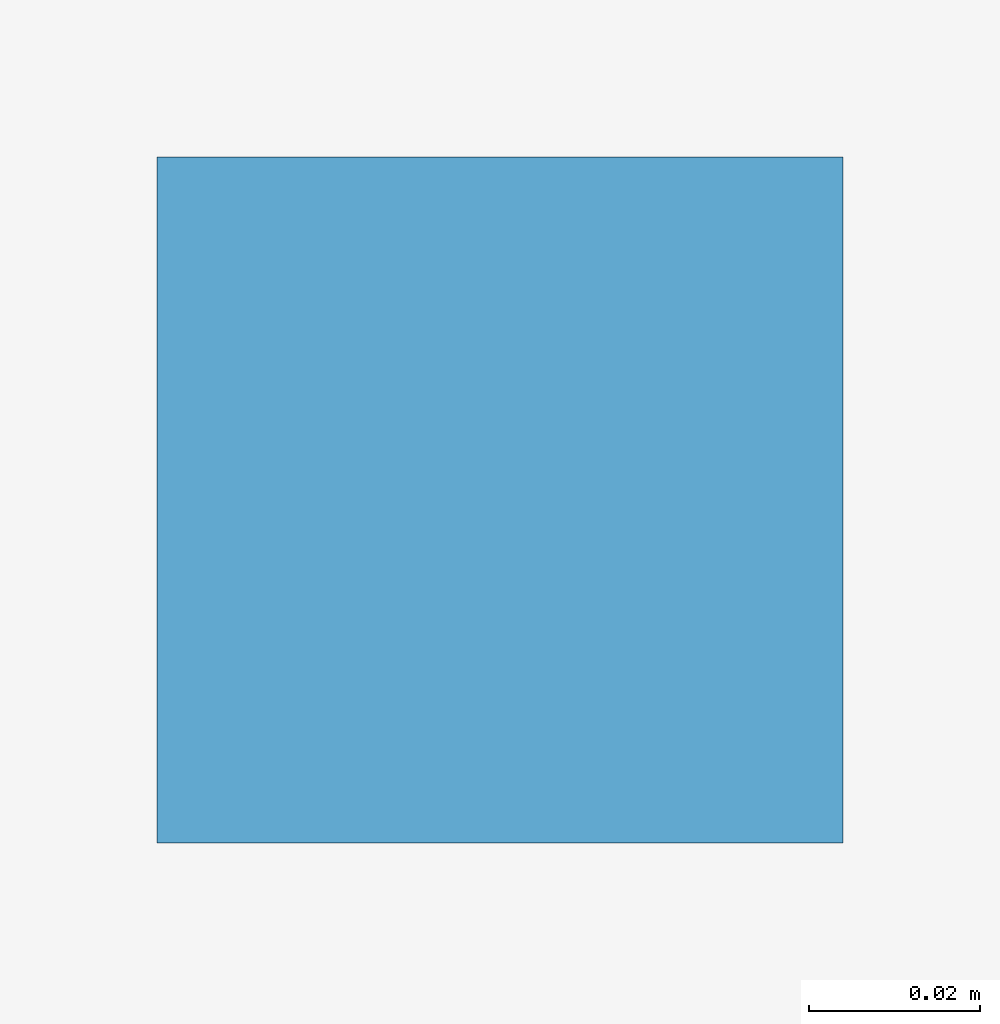
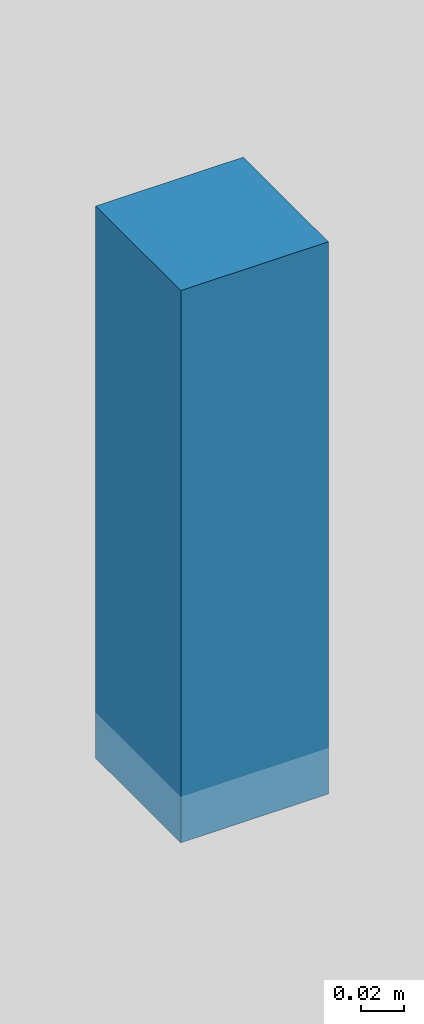
# One storey, part 23 of 31: 1 discrete accessory.
"""IFC4 building model written with IfcOpenShell, lengths in metres."""

import ifcopenshell
import ifcopenshell.guid

model = None  # the IFC model being written
_history = None  # IfcOwnerHistory: only IFC2X3 demands one
_inside = {}  # id of a spatial element -> (the spatial element, [elements in it])
_under = {}  # id of a project, library or spatial element -> (it, [spatial elements below it])
_declared = {}  # id of a project -> (the project, [libraries it declares])
_typed = {}  # id of a type object -> (the type object, [elements of that type])
_made_of = {}  # id of a material, layer set ... -> (it, [elements and type objects made of it])


def new_model(schema):
    """Start an empty IFC model of exactly this schema.

    Asked for "IFC4X3", IfcOpenShell would pick the latest addendum, in which some entities
    have other attributes; the version numbers below select the first issue.
    IFC2X3 requires an IfcOwnerHistory on every rooted entity: one is made here for all.
    """
    global model, _history
    if schema == "IFC4X3":
        model = ifcopenshell.file(schema_version=(4, 3, 0, 0))
    else:
        model = ifcopenshell.file(schema=schema)
    _inside.clear()
    _under.clear()
    _declared.clear()
    _typed.clear()
    _made_of.clear()
    _history = None
    if model.schema == "IFC2X3":
        org = make("IfcOrganization", Name="unknown")
        user = make(
            "IfcPersonAndOrganization",
            ThePerson=make("IfcPerson", FamilyName="unknown"),
            TheOrganization=org,
        )
        app = make(
            "IfcApplication",
            ApplicationDeveloper=org,
            Version="unknown",
            ApplicationFullName="unknown",
            ApplicationIdentifier="unknown",
        )
        _history = make(
            "IfcOwnerHistory",
            OwningUser=user,
            OwningApplication=app,
            ChangeAction="ADDED",
            CreationDate=0,
        )
    return model


def make(cls, **values):
    """One entity of the class cls with the attributes given. An attribute that is None is left unset."""
    return model.create_entity(
        cls, **{name: value for name, value in values.items() if value is not None}
    )


def rooted(cls, **values):
    """An entity with a GlobalId (a new one), such as an element, a storey or a relation."""
    return make(cls, GlobalId=ifcopenshell.guid.new(), OwnerHistory=_history, **values)


def si_unit(unit_type, name, prefix=None):
    """IfcSIUnit, for example si_unit("LENGTHUNIT", "METRE", prefix="MILLI")."""
    return make("IfcSIUnit", UnitType=unit_type, Prefix=prefix, Name=name)


def assignment(units):
    """IfcUnitAssignment: the units of a project."""
    return None if units is None else make("IfcUnitAssignment", Units=units)


def point(xyz):
    """IfcCartesianPoint."""
    return None if xyz is None else make("IfcCartesianPoint", Coordinates=xyz)


def direction(xyz):
    """IfcDirection."""
    return None if xyz is None else make("IfcDirection", DirectionRatios=xyz)


def frame(location, z_axis=None, x_axis=None):
    """IfcAxis2Placement3D, a coordinate frame: its origin and axes. An axis left out is left unset."""
    return make(
        "IfcAxis2Placement3D",
        Location=point(location),
        Axis=direction(z_axis),
        RefDirection=direction(x_axis),
    )


def frame_2d(location, x_axis=None):
    """IfcAxis2Placement2D, a coordinate frame in the plane: its origin and x axis."""
    return make(
        "IfcAxis2Placement2D", Location=point(location), RefDirection=direction(x_axis)
    )


def origin():
    """The frame at (0, 0, 0) with its axes left unset."""
    return frame((0.0, 0.0, 0.0))


def origin_2d():
    """The frame at (0, 0) in the plane with its x axis left unset."""
    return frame_2d((0.0, 0.0))


def place(relative_to, where):
    """IfcLocalPlacement: puts the frame where relative to a parent placement (None: the world)."""
    return make(
        "IfcLocalPlacement", PlacementRelTo=relative_to, RelativePlacement=where
    )


def context(
    kind, dimensions, precision=None, world=None, true_north=None, identifier=None
):
    """IfcGeometricRepresentationContext, for example the 3D "Model" context."""
    return make(
        "IfcGeometricRepresentationContext",
        ContextIdentifier=identifier,
        ContextType=kind,
        CoordinateSpaceDimension=dimensions,
        Precision=precision,
        WorldCoordinateSystem=world,
        TrueNorth=true_north,
    )


def subcontext(parent, identifier, kind, view, scale=None):
    """IfcGeometricRepresentationSubContext, for example "Body" below "Model"."""
    return make(
        "IfcGeometricRepresentationSubContext",
        ContextIdentifier=identifier,
        ContextType=kind,
        ParentContext=parent,
        TargetScale=scale,
        TargetView=view,
    )


def project(units=None, contexts=None):
    """IfcProject with its units and contexts."""
    return rooted(
        "IfcProject",
        Name="project",
        RepresentationContexts=contexts,
        UnitsInContext=assignment(units),
    )


def spatial(cls, under=None, at=None, **own):
    """A site, building, storey or space (cls), placed at a placement, below another one or the project."""
    s = rooted(cls, ObjectPlacement=at, **own)
    if under is not None:
        _under.setdefault(under.id(), (under, []))[1].append(s)
    return s


def profile(cls, at=None, kind="AREA", **sizes):
    """A parametric profile (cls). Its sizes go by their IFC names, for example OverallWidth=200.0."""
    return make(cls, ProfileType=kind, Position=at, **sizes)


def rectangle(**sizes):
    """IfcRectangleProfileDef."""
    return profile("IfcRectangleProfileDef", **sizes)


def extrude(swept, where, along, depth):
    """IfcExtrudedAreaSolid: the profile swept, set in the frame where, extruded along a direction by depth."""
    return make(
        "IfcExtrudedAreaSolid",
        SweptArea=swept,
        Position=where,
        ExtrudedDirection=direction(along),
        Depth=depth,
    )


def shape(context_of_items, identifier, shape_type, items):
    """IfcShapeRepresentation: the items that make up one representation, for example the "Body"."""
    return make(
        "IfcShapeRepresentation",
        ContextOfItems=context_of_items,
        RepresentationIdentifier=identifier,
        RepresentationType=shape_type,
        Items=items,
    )


def material(Name=None, Category=None):
    """IfcMaterial."""
    return make("IfcMaterial", Name=Name, Category=Category)


def made_of(thing, what):
    """Note that an element or type object is made of a material, layer set ...; save() writes the relation."""
    if what is not None:
        _made_of.setdefault(what.id(), (what, []))[1].append(thing)
    return thing


def type_object(cls, material=None, **own):
    """A type object (cls), such as IfcWallType, which elements share."""
    return made_of(rooted(cls, **own), material)


def element(
    cls,
    number,
    at=None,
    inside=None,
    cuts=None,
    type_object=None,
    material=None,
    context=None,
    identifier="Body",
    shape_type=None,
    held_by="IfcProductDefinitionShape",
    body=None,
    shapes=None,
    **own,
):
    """One element of the class cls, such as IfcWall. Its Tag is "e" and its number.

    at: its placement. inside: the storey or other place that contains it. cuts: it is an
    opening in that element (IfcRelVoidsElement). A single representation is given by context,
    identifier, shape_type and body (its items); several are given by shapes. held_by: the class
    of the entity that holds the representations. save() writes the other relations.
    """
    e = rooted(cls, Tag="e%d" % number, ObjectPlacement=at, **own)
    if body is not None:
        shapes = [shape(context, identifier, shape_type, body)]
    if shapes is not None:
        e.Representation = make(held_by, Representations=shapes)
    if inside is not None:
        _inside.setdefault(inside.id(), (inside, []))[1].append(e)
    if cuts is not None:
        rooted(
            "IfcRelVoidsElement", RelatingBuildingElement=cuts, RelatedOpeningElement=e
        )
    if type_object is not None:
        _typed.setdefault(type_object.id(), (type_object, []))[1].append(e)
    return made_of(e, material)


def aggregate(whole, parts):
    """IfcRelAggregates: a whole, such as a stair, and the parts it consists of."""
    return rooted("IfcRelAggregates", RelatingObject=whole, RelatedObjects=parts)


def save(model, path):
    """Write the relations noted so far, then the file.

    IfcRelAggregates (storeys below a building ...), IfcRelContainedInSpatialStructure (elements
    in a storey), IfcRelDefinesByType, IfcRelAssociatesMaterial and IfcRelDeclares: one each for
    every whole, place, type object, material and project.
    """
    for whole, parts in _under.values():
        aggregate(whole, parts)
    for where, things in _inside.values():
        rooted(
            "IfcRelContainedInSpatialStructure",
            RelatedElements=things,
            RelatingStructure=where,
        )
    for kind, things in _typed.values():
        rooted("IfcRelDefinesByType", RelatedObjects=things, RelatingType=kind)
    for what, things in _made_of.values():
        rooted("IfcRelAssociatesMaterial", RelatedObjects=things, RelatingMaterial=what)
    for by, libraries in _declared.values():
        rooted("IfcRelDeclares", RelatingContext=by, RelatedDefinitions=libraries)
    model.write(path)


model = new_model("IFC4")

# Units and contexts
model_context = context("Model", 3, precision=1e-05, world=origin(), true_north=direction((0.0, 1.0)))
body_context = subcontext(model_context, "Body", "Model", "MODEL_VIEW")
ifc_project = project(units=[si_unit("LENGTHUNIT", "METRE"), si_unit("AREAUNIT", "SQUARE_METRE"), si_unit("VOLUMEUNIT", "CUBIC_METRE"), si_unit("PLANEANGLEUNIT", "RADIAN"), si_unit("MASSUNIT", "GRAM", prefix="KILO")], contexts=[model_context])

# Site, building, storey
site_placement = place(None, origin())
site = spatial("IfcSite", under=ifc_project, at=site_placement, CompositionType="ELEMENT")
building_placement = place(site_placement, origin())
building = spatial("IfcBuilding", under=site, at=building_placement, Name="Chalmorin Arch Market", CompositionType="ELEMENT")
storey_placement = place(building_placement, frame((0.0, 0.0, -4.199951171875)))
storey = spatial("IfcBuildingStorey", under=building, at=storey_placement, Name="B1", CompositionType="ELEMENT", Elevation=-4.199951171875)

# Discrete accessory
ifc_material = material(Name="Galvanized Cold-Formed Steel", Category="steel")
discrete_accessory_type = type_object("IfcDiscreteAccessoryType", Name="CeilingSuspensionBracket-80x80", PredefinedType="BRACKET", material=ifc_material)
discrete_accessory_placement = place(storey_placement, frame((116.39990234375, 46.14990234375, 3.653076171875), z_axis=(0.0, 0.0, 1.0), x_axis=(1.0, 0.0, 0.0)))
element("IfcDiscreteAccessory", 1, at=discrete_accessory_placement, inside=storey, type_object=discrete_accessory_type, Name="CSB-049", PredefinedType="BRACKET", context=body_context, shape_type="SweptSolid", body=[
    extrude(rectangle(XDim=0.080078125, YDim=0.080078125, at=origin_2d()), origin(), (0.0, 0.0, 1.0), 0.31689453125),
])

save(model, "model.ifc")
